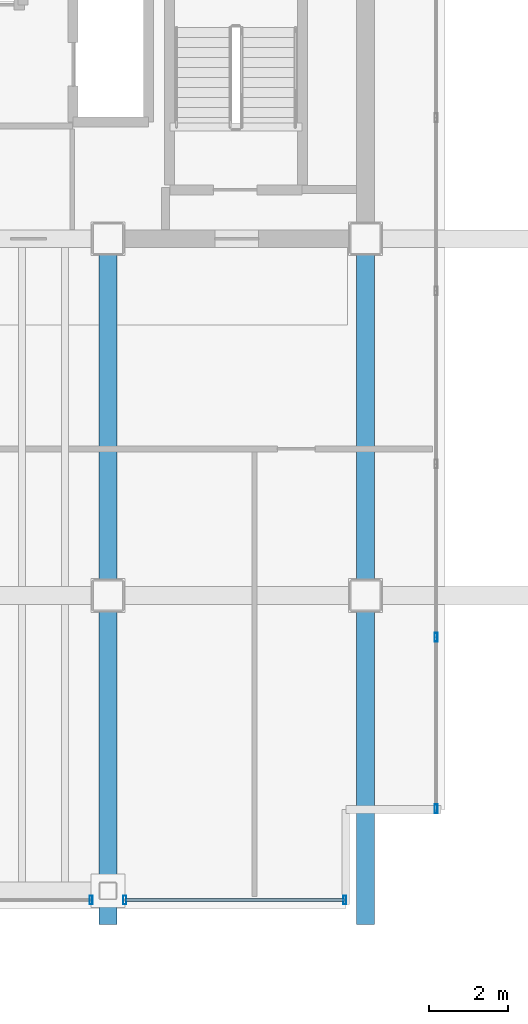
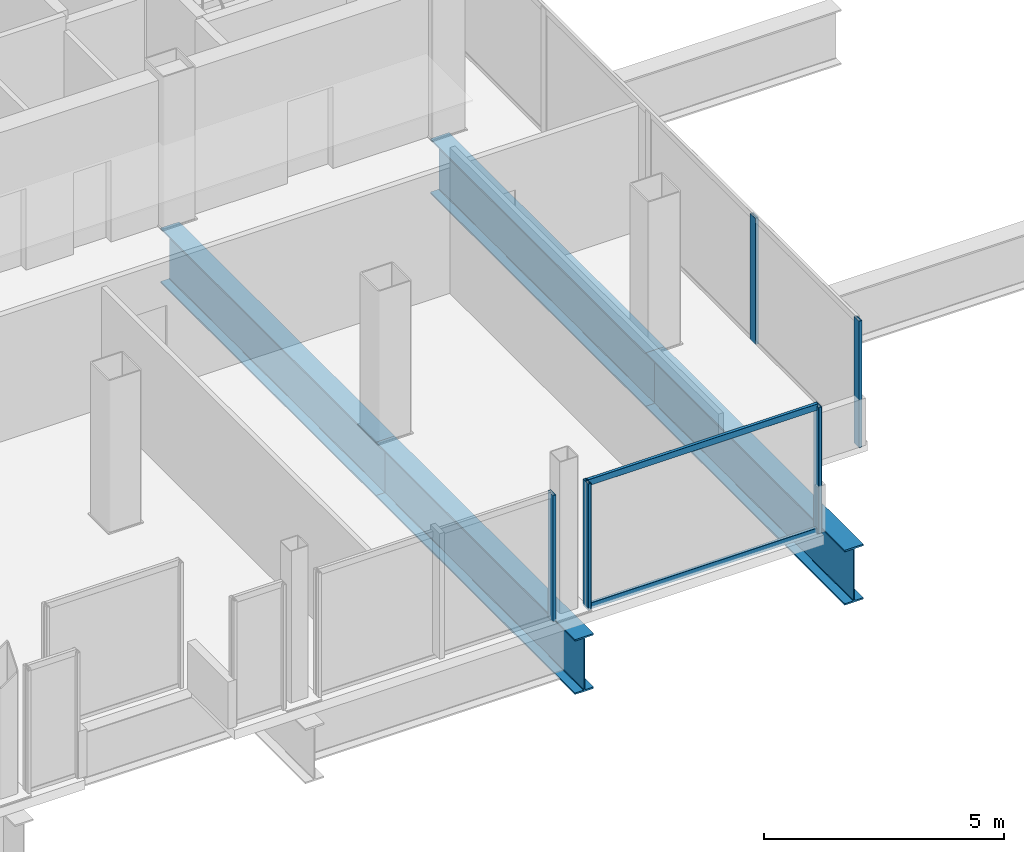
# One storey, part 14 of 22: 7 members, 4 beams, 3 elements without a shape of their own.
"""IFC4 building model written with IfcOpenShell, lengths in metres."""

from ifc_helpers import new_model, si_unit, direction, frame, origin, origin_2d, place, context, subcontext, project, spatial, hollow_rectangle, i_section, extrude, material, material_profile, profile_set, type_object, element, aggregate, save


model = new_model("IFC4")

# Units and contexts
model_context = context("Model", 3, precision=1e-05, world=origin(), true_north=direction((0.0, 1.0)))
body_context = subcontext(model_context, "Body", "Model", "MODEL_VIEW")
ifc_project = project(units=[si_unit("LENGTHUNIT", "METRE"), si_unit("AREAUNIT", "SQUARE_METRE"), si_unit("VOLUMEUNIT", "CUBIC_METRE"), si_unit("PLANEANGLEUNIT", "RADIAN"), si_unit("MASSUNIT", "GRAM", prefix="KILO")], contexts=[model_context])

# Site, building, storey
site_placement = place(None, origin())
site = spatial("IfcSite", under=ifc_project, at=site_placement, CompositionType="ELEMENT")
building_placement = place(site_placement, origin())
building = spatial("IfcBuilding", under=site, at=building_placement, Name="Noeulbin Bourse Tower", CompositionType="ELEMENT")
storey_placement = place(building_placement, frame((0.0, 0.0, 230.60009765625)))
storey = spatial("IfcBuildingStorey", under=building, at=storey_placement, Name="L57", CompositionType="ELEMENT", Elevation=230.60009765625)

# Beams
ifc_material_1 = material(Name="Steel S460", Category="steel")
ifc_material_profile_1 = material_profile(ifc_material_1, i_section(OverallWidth=0.449951171875, OverallDepth=1.39990234375, WebThickness=0.02392578125, FlangeThickness=0.0400390625, FilletRadius=0.02392578125, at=origin_2d()), Name="PG-1400x450x24x40", Category="LoadBearing")
ifc_profile_set_1 = profile_set([ifc_material_profile_1], Name="Steel S460")
beam_type = type_object("IfcBeamType", Name="BM-TRF-1400", PredefinedType="USERDEFINED", material=ifc_profile_set_1)
beam_1_placement = place(storey_placement, frame((37.5, 11.699951171875, -0.940185546875), z_axis=(0.0, 1.0, 0.0), x_axis=(-1.0, 0.0, 0.0)))
element("IfcBeam", 1, at=beam_1_placement, inside=storey, type_object=beam_type, Name="Tower Primary Girder NS L57-4.1", ObjectType="GIRDER", PredefinedType="USERDEFINED", context=body_context, shape_type="SweptSolid", body=[
    extrude(i_section(OverallWidth=0.449951171875, OverallDepth=1.39990234375, WebThickness=0.02392578125, FlangeThickness=0.0400390625, FilletRadius=0.02392578125, at=origin_2d()), origin(), (0.0, 0.0, 1.0), 8.300048828125),
])
beam_2_placement = place(storey_placement, frame((37.5, 20.0, -0.940185546875), z_axis=(0.0, 1.0, 0.0), x_axis=(-1.0, 0.0, 0.0)))
element("IfcBeam", 2, at=beam_2_placement, inside=storey, type_object=beam_type, Name="Tower Primary Girder NS L57-4.2", ObjectType="GIRDER", PredefinedType="USERDEFINED", context=body_context, shape_type="SweptSolid", body=[
    extrude(i_section(OverallWidth=0.449951171875, OverallDepth=1.39990234375, WebThickness=0.02392578125, FlangeThickness=0.0400390625, FilletRadius=0.02392578125, at=origin_2d()), origin(), (0.0, 0.0, 1.0), 9.0),
])
beam_3_placement = place(storey_placement, frame((44.0, 11.699951171875, -0.940185546875), z_axis=(0.0, 1.0, 0.0), x_axis=(-1.0, 0.0, 0.0)))
element("IfcBeam", 3, at=beam_3_placement, inside=storey, type_object=beam_type, Name="Tower Primary Girder NS L57-5.1", ObjectType="GIRDER", PredefinedType="USERDEFINED", context=body_context, shape_type="SweptSolid", body=[
    extrude(i_section(OverallWidth=0.449951171875, OverallDepth=1.39990234375, WebThickness=0.02392578125, FlangeThickness=0.0400390625, FilletRadius=0.02392578125, at=origin_2d()), origin(), (0.0, 0.0, 1.0), 8.300048828125),
])
beam_4_placement = place(storey_placement, frame((44.0, 20.0, -0.940185546875), z_axis=(0.0, 1.0, 0.0), x_axis=(-1.0, 0.0, 0.0)))
element("IfcBeam", 4, at=beam_4_placement, inside=storey, type_object=beam_type, Name="Tower Primary Girder NS L57-5.2", ObjectType="GIRDER", PredefinedType="USERDEFINED", context=body_context, shape_type="SweptSolid", body=[
    extrude(i_section(OverallWidth=0.449951171875, OverallDepth=1.39990234375, WebThickness=0.02392578125, FlangeThickness=0.0400390625, FilletRadius=0.02392578125, at=origin_2d()), origin(), (0.0, 0.0, 1.0), 9.0),
])

# Curtain wall, member
ifc_material_2 = material(Name="High-Selectivity Low-Iron Glazing", Category="glass")
curtain_wall_type = type_object("IfcCurtainWallType", Name="CW-SYS-4", PredefinedType="NOTDEFINED", material=ifc_material_2)
curtain_wall_1_placement = place(storey_placement, origin())
curtain_wall_1 = element("IfcCurtainWall", 5, at=curtain_wall_1_placement, inside=storey, type_object=curtain_wall_type, Name="Unitised Curtain Wall CW-L57-S3-S2", PredefinedType="NOTDEFINED")
ifc_material_3 = material(Name="Anodised Aluminium 6063-T6", Category="aluminium")
ifc_material_profile_2 = material_profile(ifc_material_3, hollow_rectangle(XDim=0.074951171875, YDim=0.219970703125, WallThickness=0.0048828125, InnerFilletRadius=0.00244140625, OuterFilletRadius=0.0048828125, at=origin_2d()), Name="ALU-MULL-75x220x5", Category="LoadBearing")
ifc_profile_set_2 = profile_set([ifc_material_profile_2], Name="Anodised Aluminium 6063-T6")
member_type_1 = type_object("IfcMemberType", Name="CW-SYS-4-MUL", PredefinedType="MULLION", material=ifc_profile_set_2)
member_1_placement = place(storey_placement, frame((37.074951171875, 12.320068359375, -0.02001953125), z_axis=(0.0, 0.0, 1.0), x_axis=(1.0, 0.0, 0.0)))
member_1 = element("IfcMember", 6, at=member_1_placement, type_object=member_type_1, Name="Curtain Wall Mullion CW-L57-S3-S2-M01", PredefinedType="MULLION", context=body_context, shape_type="SweptSolid", body=[
    extrude(hollow_rectangle(XDim=0.074951171875, YDim=0.219970703125, WallThickness=0.0048828125, InnerFilletRadius=0.00244140625, OuterFilletRadius=0.0048828125, at=origin_2d()), origin(), (0.0, 0.0, 1.0), 3.219970703125),
])
aggregate(curtain_wall_1, [member_1])

# Curtain wall, members
curtain_wall_2_placement = place(storey_placement, origin())
curtain_wall_2 = element("IfcCurtainWall", 7, at=curtain_wall_2_placement, inside=storey, type_object=curtain_wall_type, Name="Unitised Curtain Wall CW-L57-S3-S3", PredefinedType="NOTDEFINED")
member_2_placement = place(storey_placement, frame((37.925048828125, 12.320068359375, -0.02001953125), z_axis=(0.0, 0.0, 1.0), x_axis=(1.0, 0.0, 0.0)))
member_2 = element("IfcMember", 8, at=member_2_placement, type_object=member_type_1, Name="Curtain Wall Mullion CW-L57-S3-S3-M00", PredefinedType="MULLION", context=body_context, shape_type="SweptSolid", body=[
    extrude(hollow_rectangle(XDim=0.074951171875, YDim=0.219970703125, WallThickness=0.0048828125, InnerFilletRadius=0.00244140625, OuterFilletRadius=0.0048828125, at=origin_2d()), origin(), (0.0, 0.0, 1.0), 3.219970703125),
])
member_3_placement = place(storey_placement, frame((43.47998046875, 12.320068359375, -0.02001953125), z_axis=(0.0, 0.0, 1.0), x_axis=(1.0, 0.0, 0.0)))
member_3 = element("IfcMember", 9, at=member_3_placement, type_object=member_type_1, Name="Curtain Wall Mullion CW-L57-S3-S3-M01", PredefinedType="MULLION", context=body_context, shape_type="SweptSolid", body=[
    extrude(hollow_rectangle(XDim=0.074951171875, YDim=0.219970703125, WallThickness=0.0048828125, InnerFilletRadius=0.00244140625, OuterFilletRadius=0.0048828125, at=origin_2d()), origin(), (0.0, 0.0, 1.0), 3.219970703125),
])

curtain_wall_3_placement = place(storey_placement, origin())
curtain_wall_3 = element("IfcCurtainWall", 10, at=curtain_wall_3_placement, inside=storey, type_object=curtain_wall_type, Name="Unitised Curtain Wall CW-L57-E", PredefinedType="NOTDEFINED")
member_4_placement = place(storey_placement, frame((45.780029296875, 14.6201171875, -0.02001953125), z_axis=(0.0, 0.0, 1.0), x_axis=(1.0, 0.0, 0.0)))
member_4 = element("IfcMember", 11, at=member_4_placement, type_object=member_type_1, Name="Curtain Wall Mullion CW-L57-E-M00", PredefinedType="MULLION", context=body_context, shape_type="SweptSolid", body=[
    extrude(hollow_rectangle(XDim=0.074951171875, YDim=0.219970703125, WallThickness=0.0048828125, InnerFilletRadius=0.00244140625, OuterFilletRadius=0.0048828125, at=origin_2d()), origin(), (0.0, 0.0, 1.0), 3.219970703125),
])
member_5_placement = place(storey_placement, frame((45.780029296875, 18.947998046875, -0.02001953125), z_axis=(0.0, 0.0, 1.0), x_axis=(1.0, 0.0, 0.0)))
member_5 = element("IfcMember", 12, at=member_5_placement, type_object=member_type_1, Name="Curtain Wall Mullion CW-L57-E-M01", PredefinedType="MULLION", context=body_context, shape_type="SweptSolid", body=[
    extrude(hollow_rectangle(XDim=0.074951171875, YDim=0.219970703125, WallThickness=0.0048828125, InnerFilletRadius=0.00244140625, OuterFilletRadius=0.0048828125, at=origin_2d()), origin(), (0.0, 0.0, 1.0), 3.219970703125),
])
aggregate(curtain_wall_3, [member_4, member_5])

# Member
ifc_material_profile_3 = material_profile(ifc_material_3, hollow_rectangle(XDim=0.074951171875, YDim=0.159912109375, WallThickness=0.0048828125, InnerFilletRadius=0.00244140625, OuterFilletRadius=0.0048828125, at=origin_2d()), Name="ALU-TRAN-75x160x5", Category="LoadBearing")
ifc_profile_set_3 = profile_set([ifc_material_profile_3], Name="Anodised Aluminium 6063-T6")
member_type_2 = type_object("IfcMemberType", Name="CW-SYS-4-TRN", PredefinedType="USERDEFINED", material=ifc_profile_set_3)
member_6_placement = place(storey_placement, frame((37.93505859375, 12.320068359375, 0.010009765625), z_axis=(1.0, 0.0, 0.0), x_axis=(0.0, 1.0, 0.0)))
member_6 = element("IfcMember", 13, at=member_6_placement, type_object=member_type_2, Name="Curtain Wall Transom CW-L57-S3-S3-T00", ObjectType="TRANSOM", PredefinedType="USERDEFINED", context=body_context, shape_type="SweptSolid", body=[
    extrude(hollow_rectangle(XDim=0.074951171875, YDim=0.159912109375, WallThickness=0.0048828125, InnerFilletRadius=0.00244140625, OuterFilletRadius=0.0048828125, at=origin_2d()), origin(), (0.0, 0.0, 1.0), 5.534912109375),
])

member_7_placement = place(storey_placement, frame((37.93505859375, 12.320068359375, 3.169921875), z_axis=(1.0, 0.0, 0.0), x_axis=(0.0, 1.0, 0.0)))
member_7 = element("IfcMember", 14, at=member_7_placement, type_object=member_type_2, Name="Curtain Wall Transom CW-L57-S3-S3-T01", ObjectType="TRANSOM", PredefinedType="USERDEFINED", context=body_context, shape_type="SweptSolid", body=[
    extrude(hollow_rectangle(XDim=0.074951171875, YDim=0.159912109375, WallThickness=0.0048828125, InnerFilletRadius=0.00244140625, OuterFilletRadius=0.0048828125, at=origin_2d()), origin(), (0.0, 0.0, 1.0), 5.534912109375),
])

aggregate(curtain_wall_2, [member_2, member_3, member_6, member_7])

save(model, "model.ifc")
